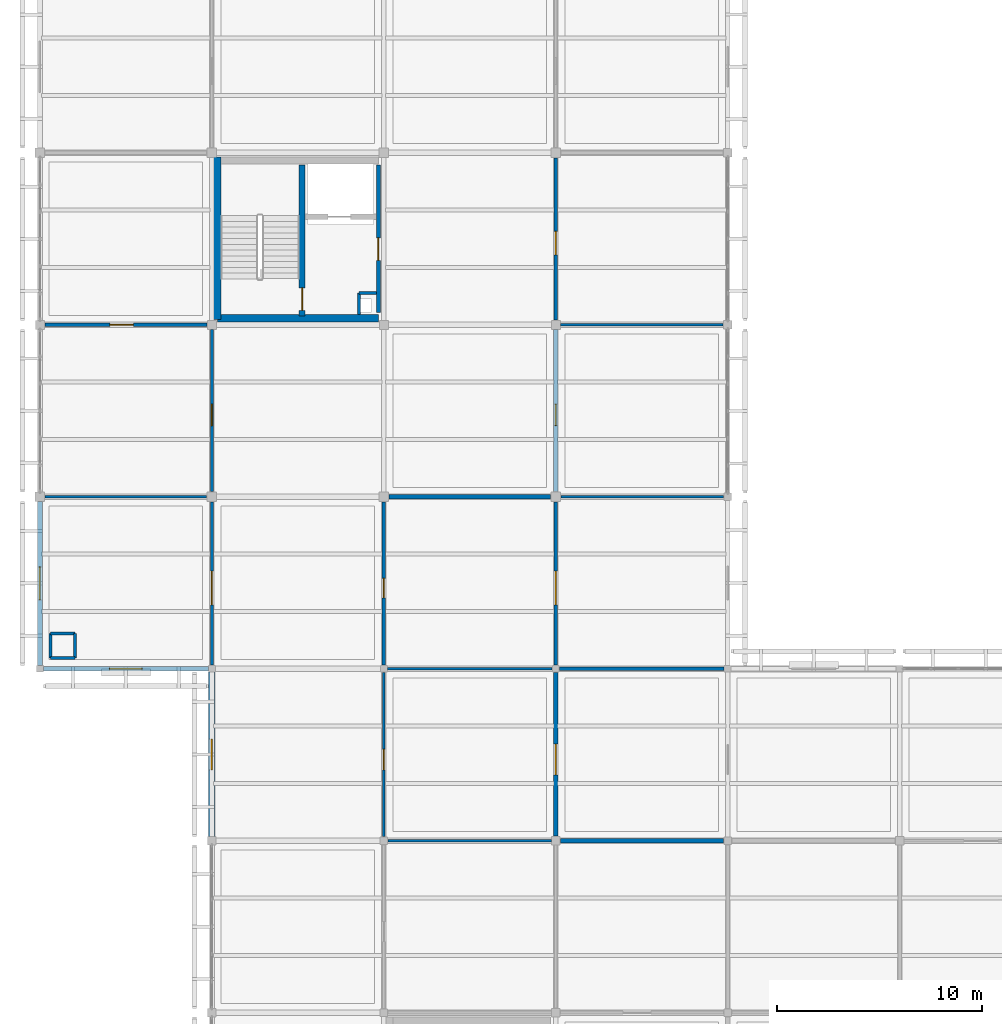
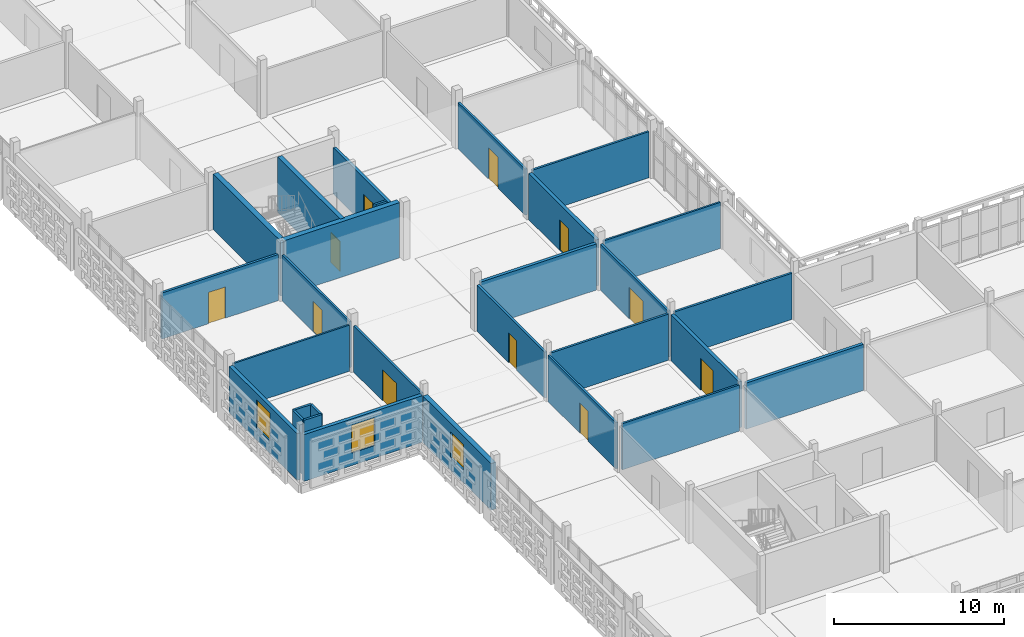
# One storey, part 84 of 140: 30 walls, 11 doors, 3 windows, 14 openings.
"""IFC4 building model written with IfcOpenShell, lengths in metres."""

from ifc_helpers import new_model, si_unit, direction, frame, frame_2d, origin, place, context, subcontext, project, spatial, rectangle, extrude, material, layer, layer_set, type_object, element, fill, save


model = new_model("IFC4")

# Units and contexts
model_context = context("Model", 3, precision=1e-05, world=origin(), true_north=direction((0.0, 1.0)))
body_context = subcontext(model_context, "Body", "Model", "MODEL_VIEW")
ifc_project = project(units=[si_unit("LENGTHUNIT", "METRE"), si_unit("AREAUNIT", "SQUARE_METRE"), si_unit("VOLUMEUNIT", "CUBIC_METRE"), si_unit("PLANEANGLEUNIT", "RADIAN"), si_unit("MASSUNIT", "GRAM", prefix="KILO")], contexts=[model_context])

# Site, building, storey
site_placement = place(None, origin())
site = spatial("IfcSite", under=ifc_project, at=site_placement, CompositionType="ELEMENT")
building_placement = place(site_placement, origin())
building = spatial("IfcBuilding", under=site, at=building_placement, Name="Varnapada Polytechnic", CompositionType="ELEMENT")
storey_placement = place(building_placement, frame((0.0, 0.0, 13.800048828125)))
storey = spatial("IfcBuildingStorey", under=building, at=storey_placement, Name="L03", CompositionType="ELEMENT", Elevation=13.800048828125)

# Wall, opening, door
ifc_material_1 = material(Name="Autoclaved Aerated Concrete Block AAC-600", Category="concrete")
ifc_layer_1 = layer(ifc_material_1, 0.199951171875)
ifc_layer_set_1 = layer_set([ifc_layer_1], Name="Autoclaved Aerated Concrete Block AAC-600")
wall_type_1 = type_object("IfcWallType", Name="Interior Wall IW-01", PredefinedType="PARTITIONING", material=ifc_layer_set_1)
wall_1_placement = place(storey_placement, frame((16.5400390625, 66.60009765625, 0.0), z_axis=(0.0, 0.0, 1.0), x_axis=(0.0, -1.0, 0.0)))
wall_1 = element("IfcWall", 1, at=wall_1_placement, inside=storey, type_object=wall_type_1, Name="L03 C2 firefighting lobby east wall", PredefinedType="PARTITIONING", context=body_context, shape_type="SweptSolid", body=[
    extrude(rectangle(XDim=7.2001953125, YDim=0.199951171875, at=frame_2d((3.60009765625, 0.0))), origin(), (0.0, 0.0, 1.0), 3.320068359375),
])
opening_1_placement = place(wall_1_placement, frame((3.550048828125, 0.0, 0.0)))
opening_1 = element("IfcOpeningElement", 2, at=opening_1_placement, cuts=wall_1, Name="Opening D-1186", PredefinedType="OPENING", context=body_context, shape_type="SweptSolid", body=[
    extrude(rectangle(XDim=1.10009765625, YDim=2.14990234375, at=frame_2d((0.550048828125, 1.074951171875))), frame((0.0, 0.10986328125, 0.0), z_axis=(0.0, -1.0, 0.0), x_axis=(1.0, 0.0, 0.0)), (0.0, 0.0, 1.0), 0.219970703125),
])
ifc_material_2 = material(Name="Galvanized Steel Z275", Category="steel")
door_type_1 = type_object("IfcDoorType", Name="Interior Door ID-01", OperationType="NOTDEFINED", PredefinedType="DOOR", material=ifc_material_2)
door_1_placement = place(opening_1_placement, frame((1.10009765625, 0.0, 0.0), z_axis=(0.0, 0.0, 1.0), x_axis=(-1.0, 0.0, 0.0)))
door_1 = element("IfcDoor", 3, at=door_1_placement, inside=storey, type_object=door_type_1, Name="L03 C2 lobby fire door D-1186", OperationType="SINGLE_SWING_RIGHT", OverallHeight=2.14990234375, OverallWidth=1.10009765625, PredefinedType="DOOR", context=body_context, shape_type="SweptSolid", body=[
    extrude(rectangle(XDim=1.10009765625, YDim=2.14990234375, at=frame_2d((0.550048828125, 1.074951171875))), frame((0.0, 0.02490234375, 0.0), z_axis=(0.0, -1.0, 0.0), x_axis=(1.0, 0.0, 0.0)), (0.0, 0.0, 1.0), 0.050048828125),
])
fill(opening_1, door_1)

# Walls
ifc_layer_2 = layer(ifc_material_1, 0.14990234375)
ifc_layer_set_2 = layer_set([ifc_layer_2], Name="Autoclaved Aerated Concrete Block AAC-600")
wall_type_2 = type_object("IfcWallType", Name="Interior Wall IW-02", PredefinedType="PARTITIONING", material=ifc_layer_set_2)
wall_2_placement = place(storey_placement, frame((15.580078125, 60.360107421875, 0.0), z_axis=(0.0, 0.0, 1.0), x_axis=(0.0, -1.0, 0.0)))
element("IfcWall", 4, at=wall_2_placement, inside=storey, type_object=wall_type_2, Name="L03 C2 riser shaft west wall", PredefinedType="PARTITIONING", context=body_context, shape_type="SweptSolid", body=[
    extrude(rectangle(XDim=1.06005859375, YDim=0.14990234375, at=frame_2d((0.530029296875, 0.0))), origin(), (0.0, 0.0, 1.0), 3.320068359375),
])
wall_3_placement = place(storey_placement, frame((15.580078125, 60.360107421875, 0.0), z_axis=(0.0, 0.0, 1.0), x_axis=(1.0, 0.0, 0.0)))
element("IfcWall", 5, at=wall_3_placement, inside=storey, type_object=wall_type_2, Name="L03 C2 riser shaft north wall", PredefinedType="PARTITIONING", context=body_context, shape_type="SweptSolid", body=[
    extrude(rectangle(XDim=0.85986328125, YDim=0.14990234375, at=frame_2d((0.429931640625, 0.0))), origin(), (0.0, 0.0, 1.0), 3.320068359375),
])
for number, where, z_axis, x_axis, name in (
    (6, (0.52001953125, 42.52001953125, 0.0), (0.0, 0.0, 1.0), (1.0, 0.0, 0.0), "L03 enclosed service riser wall (1,6) S"),
    (7, (1.719970703125, 42.52001953125, 0.0), (0.0, 0.0, 1.0), (0.0, 1.0, 0.0), "L03 enclosed service riser wall (1,6) E"),
    (8, (1.719970703125, 43.719970703125, 0.0), (0.0, 0.0, 1.0), (-1.0, 0.0, 0.0), "L03 enclosed service riser wall (1,6) N"),
    (9, (0.52001953125, 43.719970703125, 0.0), (0.0, 0.0, 1.0), (0.0, -1.0, 0.0), "L03 enclosed service riser wall (1,6) W"),
):
    element("IfcWall", number, at=place(storey_placement, frame(where, z_axis=z_axis, x_axis=x_axis)), inside=storey, type_object=wall_type_2, Name=name, PredefinedType="PARTITIONING", context=body_context, shape_type="SweptSolid", body=[
        extrude(rectangle(XDim=1.199951171875, YDim=0.14990234375, at=frame_2d((0.60009765625, 0.0))), origin(), (0.0, 0.0, 1.0), 3.929931640625),
    ])

# Wall, opening, door
wall_4_placement = place(storey_placement, frame((8.39990234375, 42.18994140625, 0.0), z_axis=(0.0, 0.0, 1.0), x_axis=(0.0, 1.0, 0.0)))
wall_4 = element("IfcWall", 10, at=wall_4_placement, inside=storey, type_object=wall_type_2, Name="L03 interior partition IW-L03-00-05-V", PredefinedType="PARTITIONING", context=body_context, shape_type="SweptSolid", body=[
    extrude(rectangle(XDim=7.9599609375, YDim=0.14990234375, at=frame_2d((3.97998046875, 0.0))), origin(), (0.0, 0.0, 1.0), 3.320068359375),
])
opening_2_placement = place(wall_4_placement, frame((2.925048828125, 0.0, 0.0)))
opening_2 = element("IfcOpeningElement", 11, at=opening_2_placement, cuts=wall_4, Name="Opening D-1196", PredefinedType="OPENING", context=body_context, shape_type="SweptSolid", body=[
    extrude(rectangle(XDim=1.64990234375, YDim=2.25, at=frame_2d((0.824951171875, 1.125))), frame((0.0, 0.0849609375, 0.0), z_axis=(0.0, -1.0, 0.0), x_axis=(1.0, 0.0, 0.0)), (0.0, 0.0, 1.0), 0.169921875),
])
ifc_material_3 = material(Name="Solid Teak Hardwood Timber", Category="wood")
door_type_2 = type_object("IfcDoorType", Name="Interior Door ID-08", OperationType="NOTDEFINED", PredefinedType="DOOR", material=ifc_material_3)
door_2_placement = place(opening_2_placement, frame((1.64990234375, 0.0, 0.0), z_axis=(0.0, 0.0, 1.0), x_axis=(-1.0, 0.0, 0.0)))
door_2 = element("IfcDoor", 12, at=door_2_placement, inside=storey, type_object=door_type_2, Name="L03 interior room door D-1196", OperationType="SINGLE_SWING_LEFT", OverallHeight=2.25, OverallWidth=1.64990234375, PredefinedType="DOOR", context=body_context, shape_type="SweptSolid", body=[
    extrude(rectangle(XDim=1.64990234375, YDim=2.25, at=frame_2d((0.824951171875, 1.125))), frame((0.0, 0.02490234375, 0.0), z_axis=(0.0, -1.0, 0.0), x_axis=(1.0, 0.0, 0.0)), (0.0, 0.0, 1.0), 0.050048828125),
])
fill(opening_2, door_2)

wall_5_placement = place(storey_placement, frame((25.199951171875, 59.0400390625, 0.0), z_axis=(0.0, 0.0, 1.0), x_axis=(0.0, 1.0, 0.0)))
wall_5 = element("IfcWall", 13, at=wall_5_placement, inside=storey, type_object=wall_type_2, Name="L03 interior partition IW-L03-02-07-V", PredefinedType="PARTITIONING", context=body_context, shape_type="SweptSolid", body=[
    extrude(rectangle(XDim=7.909912109375, YDim=0.14990234375, at=frame_2d((3.955078125, 0.0))), origin(), (0.0, 0.0, 1.0), 3.320068359375),
])
opening_3_placement = place(wall_5_placement, frame((3.175048828125, 0.0, 0.0)))
opening_3 = element("IfcOpeningElement", 14, at=opening_3_placement, cuts=wall_5, Name="Opening D-1215", PredefinedType="OPENING", context=body_context, shape_type="SweptSolid", body=[
    extrude(rectangle(XDim=1.14990234375, YDim=2.25, at=frame_2d((0.574951171875, 1.125))), frame((0.0, 0.0849609375, 0.0), z_axis=(0.0, -1.0, 0.0), x_axis=(1.0, 0.0, 0.0)), (0.0, 0.0, 1.0), 0.169921875),
])
ifc_material_4 = material(Name="Powder-Coated Aluminium 6063-T6", Category="aluminium")
door_type_3 = type_object("IfcDoorType", Name="Interior Door ID-10", OperationType="NOTDEFINED", PredefinedType="DOOR", material=ifc_material_4)
door_3_placement = place(opening_3_placement, origin())
door_3 = element("IfcDoor", 15, at=door_3_placement, inside=storey, type_object=door_type_3, Name="L03 interior room door D-1215", OperationType="SINGLE_SWING_RIGHT", OverallHeight=2.25, OverallWidth=1.14990234375, PredefinedType="DOOR", context=body_context, shape_type="SweptSolid", body=[
    extrude(rectangle(XDim=1.14990234375, YDim=2.25, at=frame_2d((0.574951171875, 1.125))), frame((0.0, 0.02490234375, 0.0), z_axis=(0.0, -1.0, 0.0), x_axis=(1.0, 0.0, 0.0)), (0.0, 0.0, 1.0), 0.050048828125),
])
fill(opening_3, door_3)

# Walls
wall_6_placement = place(storey_placement, frame((25.389892578125, 42.0, 0.0), z_axis=(0.0, 0.0, 1.0), x_axis=(1.0, 0.0, 0.0)))
element("IfcWall", 16, at=wall_6_placement, inside=storey, type_object=wall_type_2, Name="L03 interior partition IW-L03-03-04-H", PredefinedType="PARTITIONING", context=body_context, shape_type="SweptSolid", body=[
    extrude(rectangle(XDim=8.02001953125, YDim=0.14990234375, at=frame_2d((4.010009765625, 0.0))), origin(), (0.0, 0.0, 1.0), 3.320068359375),
])
ifc_material_5 = material(Name="Gypsum Plasterboard Acoustic Partition")
ifc_layer_3 = layer(ifc_material_5, 0.125)
ifc_layer_set_3 = layer_set([ifc_layer_3], Name="Gypsum Plasterboard Acoustic Partition")
wall_type_3 = type_object("IfcWallType", Name="Interior Wall IW-03", PredefinedType="PARTITIONING", material=ifc_layer_set_3)
wall_7_placement = place(storey_placement, frame((0.25, 50.39990234375, 0.0), z_axis=(0.0, 0.0, 1.0), x_axis=(1.0, 0.0, 0.0)))
element("IfcWall", 17, at=wall_7_placement, inside=storey, type_object=wall_type_3, Name="L03 interior partition IW-L03-00-05-H", PredefinedType="PARTITIONING", context=body_context, shape_type="SweptSolid", body=[
    extrude(rectangle(XDim=7.89990234375, YDim=0.125, at=frame_2d((3.949951171875, 0.0))), origin(), (0.0, 0.0, 1.0), 3.320068359375),
])
wall_8_placement = place(storey_placement, frame((25.449951171875, 50.39990234375, 0.0), z_axis=(0.0, 0.0, 1.0), x_axis=(1.0, 0.0, 0.0)))
element("IfcWall", 18, at=wall_8_placement, inside=storey, type_object=wall_type_3, Name="L03 interior partition IW-L03-03-05-H", PredefinedType="PARTITIONING", context=body_context, shape_type="SweptSolid", body=[
    extrude(rectangle(XDim=7.93994140625, YDim=0.125, at=frame_2d((3.969970703125, 0.0))), origin(), (0.0, 0.0, 1.0), 3.320068359375),
])

# Wall, opening, door
ifc_material_6 = material(Name="Moisture-Resistant Cement Board Partition")
ifc_layer_4 = layer(ifc_material_6, 0.139892578125)
ifc_layer_set_4 = layer_set([ifc_layer_4], Name="Moisture-Resistant Cement Board Partition")
wall_type_4 = type_object("IfcWallType", Name="Interior Wall IW-04", PredefinedType="PARTITIONING", material=ifc_layer_set_4)
wall_9_placement = place(storey_placement, frame((8.39990234375, 50.64990234375, 0.0), z_axis=(0.0, 0.0, 1.0), x_axis=(0.0, 1.0, 0.0)))
wall_9 = element("IfcWall", 19, at=wall_9_placement, inside=storey, type_object=wall_type_4, Name="L03 interior partition IW-L03-00-06-V", PredefinedType="PARTITIONING", context=body_context, shape_type="SweptSolid", body=[
    extrude(rectangle(XDim=7.91015625, YDim=0.139892578125, at=frame_2d((3.955078125, 0.0))), origin(), (0.0, 0.0, 1.0), 3.320068359375),
])
opening_4_placement = place(wall_9_placement, frame((3.22509765625, 0.0, 0.0)))
opening_4 = element("IfcOpeningElement", 20, at=opening_4_placement, cuts=wall_9, Name="Opening D-1197", PredefinedType="OPENING", context=body_context, shape_type="SweptSolid", body=[
    extrude(rectangle(XDim=1.050048828125, YDim=2.199951171875, at=frame_2d((0.52490234375, 1.10009765625))), frame((0.0, 0.079833984375, 0.0), z_axis=(0.0, -1.0, 0.0), x_axis=(1.0, 0.0, 0.0)), (0.0, 0.0, 1.0), 0.159912109375),
])
door_type_4 = type_object("IfcDoorType", Name="Interior Door ID-09", OperationType="NOTDEFINED", PredefinedType="DOOR", material=ifc_material_3)
door_4_placement = place(opening_4_placement, origin())
door_4 = element("IfcDoor", 21, at=door_4_placement, inside=storey, type_object=door_type_4, Name="L03 interior room door D-1197", OperationType="SINGLE_SWING_RIGHT", OverallHeight=2.199951171875, OverallWidth=1.050048828125, PredefinedType="DOOR", context=body_context, shape_type="SweptSolid", body=[
    extrude(rectangle(XDim=1.050048828125, YDim=2.199951171875, at=frame_2d((0.52490234375, 1.10009765625))), frame((0.0, 0.02490234375, 0.0), z_axis=(0.0, -1.0, 0.0), x_axis=(1.0, 0.0, 0.0)), (0.0, 0.0, 1.0), 0.050048828125),
])
fill(opening_4, door_4)

wall_10_placement = place(storey_placement, frame((16.800048828125, 33.81005859375, 0.0), z_axis=(0.0, 0.0, 1.0), x_axis=(0.0, 1.0, 0.0)))
wall_10 = element("IfcWall", 22, at=wall_10_placement, inside=storey, type_object=wall_type_4, Name="L03 interior partition IW-L03-01-04-V", PredefinedType="PARTITIONING", context=body_context, shape_type="SweptSolid", body=[
    extrude(rectangle(XDim=8.0, YDim=0.139892578125, at=frame_2d((4.0, 0.0))), origin(), (0.0, 0.0, 1.0), 3.320068359375),
])
opening_5_placement = place(wall_10_placement, frame((3.25, 0.0, 0.0)))
opening_5 = element("IfcOpeningElement", 23, at=opening_5_placement, cuts=wall_10, Name="Opening D-1207", PredefinedType="OPENING", context=body_context, shape_type="SweptSolid", body=[
    extrude(rectangle(XDim=1.0, YDim=2.14990234375, at=frame_2d((0.5, 1.074951171875))), frame((0.0, 0.079833984375, 0.0), z_axis=(0.0, -1.0, 0.0), x_axis=(1.0, 0.0, 0.0)), (0.0, 0.0, 1.0), 0.159912109375),
])
door_type_5 = type_object("IfcDoorType", Name="Interior Door ID-02", OperationType="NOTDEFINED", PredefinedType="DOOR", material=ifc_material_3)
door_5_placement = place(opening_5_placement, origin())
door_5 = element("IfcDoor", 24, at=door_5_placement, inside=storey, type_object=door_type_5, Name="L03 interior room door D-1207", OperationType="SINGLE_SWING_RIGHT", OverallHeight=2.14990234375, OverallWidth=1.0, PredefinedType="DOOR", context=body_context, shape_type="SweptSolid", body=[
    extrude(rectangle(XDim=1.0, YDim=2.14990234375, at=frame_2d((0.5, 1.074951171875))), frame((0.0, 0.02490234375, 0.0), z_axis=(0.0, -1.0, 0.0), x_axis=(1.0, 0.0, 0.0)), (0.0, 0.0, 1.0), 0.050048828125),
])
fill(opening_5, door_5)

# Walls
wall_11_placement = place(storey_placement, frame((17.010009765625, 33.60009765625, 0.0), z_axis=(0.0, 0.0, 1.0), x_axis=(1.0, 0.0, 0.0)))
element("IfcWall", 25, at=wall_11_placement, inside=storey, type_object=wall_type_4, Name="L03 interior partition IW-L03-02-03-H", PredefinedType="PARTITIONING", context=body_context, shape_type="SweptSolid", body=[
    extrude(rectangle(XDim=7.969970703125, YDim=0.139892578125, at=frame_2d((3.98486328125, 0.0))), origin(), (0.0, 0.0, 1.0), 3.320068359375),
])
wall_12_placement = place(storey_placement, frame((25.43994140625, 58.800048828125, 0.0), z_axis=(0.0, 0.0, 1.0), x_axis=(1.0, 0.0, 0.0)))
element("IfcWall", 26, at=wall_12_placement, inside=storey, type_object=wall_type_4, Name="L03 interior partition IW-L03-03-06-H", PredefinedType="PARTITIONING", context=body_context, shape_type="SweptSolid", body=[
    extrude(rectangle(XDim=7.93017578125, YDim=0.139892578125, at=frame_2d((3.965087890625, 0.0))), origin(), (0.0, 0.0, 1.0), 3.320068359375),
])

# Wall, opening, door
ifc_material_7 = material(Name="Cross-laminated timber CLT C24", Category="wood")
ifc_layer_5 = layer(ifc_material_7, 0.159912109375)
ifc_layer_set_5 = layer_set([ifc_layer_5], Name="Cross-laminated timber CLT C24")
wall_type_5 = type_object("IfcWallType", Name="Interior Wall IW-05", PredefinedType="PARTITIONING", material=ifc_layer_set_5)
wall_13_placement = place(storey_placement, frame((0.239990234375, 58.800048828125, 0.0), z_axis=(0.0, 0.0, 1.0), x_axis=(1.0, 0.0, 0.0)))
wall_13 = element("IfcWall", 27, at=wall_13_placement, inside=storey, type_object=wall_type_5, Name="L03 interior partition IW-L03-00-06-H", PredefinedType="PARTITIONING", context=body_context, shape_type="SweptSolid", body=[
    extrude(rectangle(XDim=7.919921875, YDim=0.159912109375, at=frame_2d((3.9599609375, 0.0))), origin(), (0.0, 0.0, 1.0), 3.320068359375),
])
opening_6_placement = place(wall_13_placement, frame((3.175048828125, 0.0, 0.0)))
opening_6 = element("IfcOpeningElement", 28, at=opening_6_placement, cuts=wall_13, Name="Opening D-1198", PredefinedType="OPENING", context=body_context, shape_type="SweptSolid", body=[
    extrude(rectangle(XDim=1.14990234375, YDim=2.25, at=frame_2d((0.574951171875, 1.125))), frame((0.0, 0.08984375, 0.0), z_axis=(0.0, -1.0, 0.0), x_axis=(1.0, 0.0, 0.0)), (0.0, 0.0, 1.0), 0.179931640625),
])
door_6_placement = place(opening_6_placement, origin())
door_6 = element("IfcDoor", 29, at=door_6_placement, inside=storey, type_object=door_type_3, Name="L03 interior room door D-1198", OperationType="SINGLE_SWING_LEFT", OverallHeight=2.25, OverallWidth=1.14990234375, PredefinedType="DOOR", context=body_context, shape_type="SweptSolid", body=[
    extrude(rectangle(XDim=1.14990234375, YDim=2.25, at=frame_2d((0.574951171875, 1.125))), frame((0.0, 0.02490234375, 0.0), z_axis=(0.0, -1.0, 0.0), x_axis=(1.0, 0.0, 0.0)), (0.0, 0.0, 1.0), 0.050048828125),
])
fill(opening_6, door_6)

wall_14_placement = place(storey_placement, frame((16.800048828125, 42.18994140625, 0.0), z_axis=(0.0, 0.0, 1.0), x_axis=(0.0, 1.0, 0.0)))
wall_14 = element("IfcWall", 30, at=wall_14_placement, inside=storey, type_object=wall_type_5, Name="L03 interior partition IW-L03-01-05-V", PredefinedType="PARTITIONING", context=body_context, shape_type="SweptSolid", body=[
    extrude(rectangle(XDim=7.9599609375, YDim=0.159912109375, at=frame_2d((3.97998046875, 0.0))), origin(), (0.0, 0.0, 1.0), 3.320068359375),
])
opening_7_placement = place(wall_14_placement, frame((3.27490234375, 0.0, 0.0)))
opening_7 = element("IfcOpeningElement", 31, at=opening_7_placement, cuts=wall_14, Name="Opening D-1208", PredefinedType="OPENING", context=body_context, shape_type="SweptSolid", body=[
    extrude(rectangle(XDim=0.949951171875, YDim=2.14990234375, at=frame_2d((0.47509765625, 1.074951171875))), frame((0.0, 0.08984375, 0.0), z_axis=(0.0, -1.0, 0.0), x_axis=(1.0, 0.0, 0.0)), (0.0, 0.0, 1.0), 0.179931640625),
])
ifc_material_8 = material(Name="Moisture-Resistant HPL Timber", Category="wood")
door_type_6 = type_object("IfcDoorType", Name="Interior Door ID-03", OperationType="NOTDEFINED", PredefinedType="DOOR", material=ifc_material_8)
door_7_placement = place(opening_7_placement, frame((0.949951171875, 0.0, 0.0), z_axis=(0.0, 0.0, 1.0), x_axis=(-1.0, 0.0, 0.0)))
door_7 = element("IfcDoor", 32, at=door_7_placement, inside=storey, type_object=door_type_6, Name="L03 interior room door D-1208", OperationType="SINGLE_SWING_LEFT", OverallHeight=2.14990234375, OverallWidth=0.949951171875, PredefinedType="DOOR", context=body_context, shape_type="SweptSolid", body=[
    extrude(rectangle(XDim=0.949951171875, YDim=2.14990234375, at=frame_2d((0.47509765625, 1.074951171875))), frame((0.0, 0.02490234375, 0.0), z_axis=(0.0, -1.0, 0.0), x_axis=(1.0, 0.0, 0.0)), (0.0, 0.0, 1.0), 0.050048828125),
])
fill(opening_7, door_7)

ifc_material_9 = material(Name="Heavy Acoustic Auditorium Baffle Wall")
ifc_layer_6 = layer(ifc_material_9, 0.219970703125)
ifc_layer_set_6 = layer_set([ifc_layer_6], Name="Heavy Acoustic Auditorium Baffle Wall")
wall_type_6 = type_object("IfcWallType", Name="Interior Wall IW-13", PredefinedType="PARTITIONING", material=ifc_layer_set_6)
wall_15_placement = place(storey_placement, frame((25.199951171875, 33.820068359375, 0.0), z_axis=(0.0, 0.0, 1.0), x_axis=(0.0, 1.0, 0.0)))
wall_15 = element("IfcWall", 33, at=wall_15_placement, inside=storey, type_object=wall_type_6, Name="L03 interior partition IW-L03-02-04-V", PredefinedType="PARTITIONING", context=body_context, shape_type="SweptSolid", body=[
    extrude(rectangle(XDim=7.989990234375, YDim=0.219970703125, at=frame_2d((3.9951171875, 0.0))), origin(), (0.0, 0.0, 1.0), 3.320068359375),
])
opening_8_placement = place(wall_15_placement, frame((3.0, 0.0, 0.0)))
opening_8 = element("IfcOpeningElement", 34, at=opening_8_placement, cuts=wall_15, Name="Opening D-1212", PredefinedType="OPENING", context=body_context, shape_type="SweptSolid", body=[
    extrude(rectangle(XDim=1.5, YDim=2.300048828125, at=frame_2d((0.75, 1.14990234375))), frame((0.0, 0.119873046875, 0.0), z_axis=(0.0, -1.0, 0.0), x_axis=(1.0, 0.0, 0.0)), (0.0, 0.0, 1.0), 0.239990234375),
])
door_type_7 = type_object("IfcDoorType", Name="Interior Door ID-07", OperationType="NOTDEFINED", PredefinedType="DOOR", material=ifc_material_2)
door_8_placement = place(opening_8_placement, origin())
door_8 = element("IfcDoor", 35, at=door_8_placement, inside=storey, type_object=door_type_7, Name="L03 interior room door D-1212", OperationType="SINGLE_SWING_LEFT", OverallHeight=2.300048828125, OverallWidth=1.5, PredefinedType="DOOR", context=body_context, shape_type="SweptSolid", body=[
    extrude(rectangle(XDim=1.5, YDim=2.300048828125, at=frame_2d((0.75, 1.14990234375))), frame((0.0, 0.02490234375, 0.0), z_axis=(0.0, -1.0, 0.0), x_axis=(1.0, 0.0, 0.0)), (0.0, 0.0, 1.0), 0.050048828125),
])
fill(opening_8, door_8)

# Wall
ifc_material_10 = material(Name="Ceramic-Tiled Wet Laboratory Wall")
ifc_layer_7 = layer(ifc_material_10, 0.14501953125)
ifc_layer_set_7 = layer_set([ifc_layer_7], Name="Ceramic-Tiled Wet Laboratory Wall")
wall_type_7 = type_object("IfcWallType", Name="Interior Wall IW-14", PredefinedType="PARTITIONING", material=ifc_layer_set_7)
wall_16_placement = place(storey_placement, frame((16.989990234375, 42.0, 0.0), z_axis=(0.0, 0.0, 1.0), x_axis=(1.0, 0.0, 0.0)))
element("IfcWall", 36, at=wall_16_placement, inside=storey, type_object=wall_type_7, Name="L03 interior partition IW-L03-02-04-H", PredefinedType="PARTITIONING", context=body_context, shape_type="SweptSolid", body=[
    extrude(rectangle(XDim=8.02001953125, YDim=0.14501953125, at=frame_2d((4.010009765625, 0.0))), origin(), (0.0, 0.0, 1.0), 3.320068359375),
])

# Wall, opening, door
ifc_material_11 = material(Name="Perforated Timber-Lined Seminar Wall", Category="wood")
ifc_layer_8 = layer(ifc_material_11, 0.155029296875)
ifc_layer_set_8 = layer_set([ifc_layer_8], Name="Perforated Timber-Lined Seminar Wall")
wall_type_8 = type_object("IfcWallType", Name="Interior Wall IW-15", PredefinedType="PARTITIONING", material=ifc_layer_set_8)
wall_17_placement = place(storey_placement, frame((25.199951171875, 42.18994140625, 0.0), z_axis=(0.0, 0.0, 1.0), x_axis=(0.0, 1.0, 0.0)))
wall_17 = element("IfcWall", 37, at=wall_17_placement, inside=storey, type_object=wall_type_8, Name="L03 interior partition IW-L03-02-05-V", PredefinedType="PARTITIONING", context=body_context, shape_type="SweptSolid", body=[
    extrude(rectangle(XDim=7.9599609375, YDim=0.155029296875, at=frame_2d((3.97998046875, 0.0))), origin(), (0.0, 0.0, 1.0), 3.320068359375),
])
opening_9_placement = place(wall_17_placement, frame((2.925048828125, 0.0, 0.0)))
opening_9 = element("IfcOpeningElement", 38, at=opening_9_placement, cuts=wall_17, Name="Opening D-1213", PredefinedType="OPENING", context=body_context, shape_type="SweptSolid", body=[
    extrude(rectangle(XDim=1.64990234375, YDim=2.25, at=frame_2d((0.824951171875, 1.125))), frame((0.0, 0.08740234375, 0.0), z_axis=(0.0, -1.0, 0.0), x_axis=(1.0, 0.0, 0.0)), (0.0, 0.0, 1.0), 0.175048828125),
])
door_9_placement = place(opening_9_placement, origin())
door_9 = element("IfcDoor", 39, at=door_9_placement, inside=storey, type_object=door_type_2, Name="L03 interior room door D-1213", OperationType="SINGLE_SWING_RIGHT", OverallHeight=2.25, OverallWidth=1.64990234375, PredefinedType="DOOR", context=body_context, shape_type="SweptSolid", body=[
    extrude(rectangle(XDim=1.64990234375, YDim=2.25, at=frame_2d((0.824951171875, 1.125))), frame((0.0, 0.02490234375, 0.0), z_axis=(0.0, -1.0, 0.0), x_axis=(1.0, 0.0, 0.0)), (0.0, 0.0, 1.0), 0.050048828125),
])
fill(opening_9, door_9)

# Walls
ifc_material_12 = material(Name="Heavy Masonry Workshop Partition", Category="masonry")
ifc_layer_9 = layer(ifc_material_12, 0.2099609375)
ifc_layer_set_9 = layer_set([ifc_layer_9], Name="Heavy Masonry Workshop Partition")
wall_type_9 = type_object("IfcWallType", Name="Interior Wall IW-16", PredefinedType="PARTITIONING", material=ifc_layer_set_9)
wall_18_placement = place(storey_placement, frame((17.050048828125, 50.39990234375, 0.0), z_axis=(0.0, 0.0, 1.0), x_axis=(1.0, 0.0, 0.0)))
element("IfcWall", 40, at=wall_18_placement, inside=storey, type_object=wall_type_9, Name="L03 interior partition IW-L03-02-05-H", PredefinedType="PARTITIONING", context=body_context, shape_type="SweptSolid", body=[
    extrude(rectangle(XDim=7.89990234375, YDim=0.2099609375, at=frame_2d((3.949951171875, 0.0))), origin(), (0.0, 0.0, 1.0), 3.320068359375),
])
wall_19_placement = place(storey_placement, frame((25.419921875, 33.60009765625, 0.0), z_axis=(0.0, 0.0, 1.0), x_axis=(1.0, 0.0, 0.0)))
element("IfcWall", 41, at=wall_19_placement, inside=storey, type_object=wall_type_9, Name="L03 interior partition IW-L03-03-03-H", PredefinedType="PARTITIONING", context=body_context, shape_type="SweptSolid", body=[
    extrude(rectangle(XDim=7.969970703125, YDim=0.2099609375, at=frame_2d((3.98486328125, 0.0))), origin(), (0.0, 0.0, 1.0), 3.320068359375),
])

# Wall, opening, door
ifc_material_13 = material(Name="Double-Leaf Acoustic Lecture Wall")
ifc_layer_10 = layer(ifc_material_13, 0.235107421875)
ifc_layer_set_10 = layer_set([ifc_layer_10], Name="Double-Leaf Acoustic Lecture Wall")
wall_type_10 = type_object("IfcWallType", Name="Interior Wall IW-17", PredefinedType="PARTITIONING", material=ifc_layer_set_10)
wall_20_placement = place(storey_placement, frame((25.199951171875, 50.64990234375, 0.0), z_axis=(0.0, 0.0, 1.0), x_axis=(0.0, 1.0, 0.0)))
wall_20 = element("IfcWall", 42, at=wall_20_placement, inside=storey, type_object=wall_type_10, Name="L03 interior partition IW-L03-02-06-V", PredefinedType="PARTITIONING", context=body_context, shape_type="SweptSolid", body=[
    extrude(rectangle(XDim=7.91015625, YDim=0.235107421875, at=frame_2d((3.955078125, 0.0))), origin(), (0.0, 0.0, 1.0), 3.320068359375),
])
opening_10_placement = place(wall_20_placement, frame((3.22509765625, 0.0, 0.0)))
opening_10 = element("IfcOpeningElement", 43, at=opening_10_placement, cuts=wall_20, Name="Opening D-1214", PredefinedType="OPENING", context=body_context, shape_type="SweptSolid", body=[
    extrude(rectangle(XDim=1.050048828125, YDim=2.199951171875, at=frame_2d((0.52490234375, 1.10009765625))), frame((0.0, 0.12744140625, 0.0), z_axis=(0.0, -1.0, 0.0), x_axis=(1.0, 0.0, 0.0)), (0.0, 0.0, 1.0), 0.255126953125),
])
door_10_placement = place(opening_10_placement, frame((1.050048828125, 0.0, 0.0), z_axis=(0.0, 0.0, 1.0), x_axis=(-1.0, 0.0, 0.0)))
door_10 = element("IfcDoor", 44, at=door_10_placement, inside=storey, type_object=door_type_4, Name="L03 interior room door D-1214", OperationType="SINGLE_SWING_LEFT", OverallHeight=2.199951171875, OverallWidth=1.050048828125, PredefinedType="DOOR", context=body_context, shape_type="SweptSolid", body=[
    extrude(rectangle(XDim=1.050048828125, YDim=2.199951171875, at=frame_2d((0.52490234375, 1.10009765625))), frame((0.0, 0.02490234375, 0.0), z_axis=(0.0, -1.0, 0.0), x_axis=(1.0, 0.0, 0.0)), (0.0, 0.0, 1.0), 0.050048828125),
])
fill(opening_10, door_10)

# Walls
ifc_material_14 = material(Name="Concrete C40/50", Category="concrete")
ifc_layer_11 = layer(ifc_material_14, 0.35009765625)
ifc_layer_set_11 = layer_set([ifc_layer_11], Name="Concrete C40/50")
wall_type_11 = type_object("IfcWallType", Name="Interior Wall SW-01", PredefinedType="SHEAR", material=ifc_layer_set_11)
wall_21_placement = place(storey_placement, frame((8.6650390625, 59.050048828125, 0.0), z_axis=(0.0, 0.0, 1.0), x_axis=(0.0, 1.0, 0.0)))
element("IfcWall", 45, at=wall_21_placement, inside=storey, type_object=wall_type_11, Name="L03 C2 stair west shear wall", PredefinedType="SHEAR", context=body_context, shape_type="SweptSolid", body=[
    extrude(rectangle(XDim=7.93994140625, YDim=0.35009765625, at=frame_2d((3.969970703125, 0.0))), origin(), (0.0, 0.0, 1.0), 3.97998046875),
])
wall_22_placement = place(storey_placement, frame((16.5400390625, 59.1201171875, 0.0), z_axis=(0.0, 0.0, 1.0), x_axis=(-1.0, 0.0, 0.0)))
element("IfcWall", 46, at=wall_22_placement, inside=storey, type_object=wall_type_11, Name="L03 C2 core south shear wall", PredefinedType="SHEAR", context=body_context, shape_type="SweptSolid", body=[
    extrude(rectangle(XDim=7.875, YDim=0.35009765625, at=frame_2d((3.9375, 0.0))), origin(), (0.0, 0.0, 1.0), 3.97998046875),
])

# Wall, opening, door
ifc_layer_12 = layer(ifc_material_14, 0.300048828125)
ifc_layer_set_12 = layer_set([ifc_layer_12], Name="Concrete C40/50")
wall_type_12 = type_object("IfcWallType", Name="Interior Wall SW-02", PredefinedType="SHEAR", material=ifc_layer_set_12)
wall_23_placement = place(storey_placement, frame((12.81005859375, 59.219970703125, 0.0), z_axis=(0.0, 0.0, 1.0), x_axis=(0.0, 1.0, 0.0)))
wall_23 = element("IfcWall", 47, at=wall_23_placement, inside=storey, type_object=wall_type_12, Name="L03 C2 stair-lobby dividing shear wall", PredefinedType="SHEAR", context=body_context, shape_type="SweptSolid", body=[
    extrude(rectangle(XDim=7.380126953125, YDim=0.300048828125, at=frame_2d((3.68994140625, 0.0))), origin(), (0.0, 0.0, 1.0), 3.97998046875),
])
opening_11_placement = place(wall_23_placement, frame((0.280029296875, 0.0, 0.0)))
opening_11 = element("IfcOpeningElement", 48, at=opening_11_placement, cuts=wall_23, Name="Opening D-1187", PredefinedType="OPENING", context=body_context, shape_type="SweptSolid", body=[
    extrude(rectangle(XDim=1.10009765625, YDim=2.14990234375, at=frame_2d((0.550048828125, 1.074951171875))), frame((0.0, 0.159912109375, 0.0), z_axis=(0.0, -1.0, 0.0), x_axis=(1.0, 0.0, 0.0)), (0.0, 0.0, 1.0), 0.320068359375),
])
door_11_placement = place(opening_11_placement, origin())
door_11 = element("IfcDoor", 49, at=door_11_placement, inside=storey, type_object=door_type_1, Name="L03 C2 exit stair door D-1187", OperationType="SINGLE_SWING_RIGHT", OverallHeight=2.14990234375, OverallWidth=1.10009765625, PredefinedType="DOOR", context=body_context, shape_type="SweptSolid", body=[
    extrude(rectangle(XDim=1.10009765625, YDim=2.14990234375, at=frame_2d((0.550048828125, 1.074951171875))), frame((0.0, 0.02490234375, 0.0), z_axis=(0.0, -1.0, 0.0), x_axis=(1.0, 0.0, 0.0)), (0.0, 0.0, 1.0), 0.050048828125),
])
fill(opening_11, door_11)

# Wall, opening, window
ifc_material_15 = material(Name="Precast concrete C40/50", Category="concrete")
ifc_layer_13 = layer(ifc_material_15, 0.320068359375)
ifc_layer_set_13 = layer_set([ifc_layer_13], Name="Precast concrete C40/50")
wall_type_13 = type_object("IfcWallType", Name="Wall EW-04", PredefinedType="SOLIDWALL", material=ifc_layer_set_13)
wall_24_placement = place(storey_placement, frame((8.39990234375, 33.800048828125, 0.0), z_axis=(0.0, 0.0, 1.0), x_axis=(0.0, 1.0, 0.0)))
wall_24 = element("IfcWall", 50, at=wall_24_placement, inside=storey, type_object=wall_type_13, Name="L03 exterior wall EW-04 (17)", PredefinedType="SOLIDWALL", context=body_context, shape_type="SweptSolid", body=[
    extrude(rectangle(XDim=8.030029296875, YDim=0.320068359375, at=frame_2d((4.01513671875, 0.0))), origin(), (0.0, 0.0, 1.0), 3.35986328125),
])
opening_12_placement = place(wall_24_placement, frame((3.264892578125, 0.0, 0.89990234375)))
opening_12 = element("IfcOpeningElement", 51, at=opening_12_placement, cuts=wall_24, Name="Opening WN-10", PredefinedType="OPENING", context=body_context, shape_type="SweptSolid", body=[
    extrude(rectangle(XDim=1.5, YDim=1.85009765625, at=frame_2d((0.75, 0.925048828125))), frame((0.0, 0.169921875, 0.0), z_axis=(0.0, -1.0, 0.0), x_axis=(1.0, 0.0, 0.0)), (0.0, 0.0, 1.0), 0.340087890625),
])
ifc_material_16 = material(Name="Double low-E laminated glass", Category="glass")
window_type_1 = type_object("IfcWindowType", Name="Window WN-10", PartitioningType="SINGLE_PANEL", PredefinedType="WINDOW", material=ifc_material_16)
window_1_placement = place(opening_12_placement, origin())
window_1 = element("IfcWindow", 52, at=window_1_placement, inside=storey, type_object=window_type_1, Name="L03 window WN-10 (140)", OverallHeight=1.85009765625, OverallWidth=1.5, PartitioningType="SINGLE_PANEL", PredefinedType="WINDOW", context=body_context, shape_type="SweptSolid", body=[
    extrude(rectangle(XDim=1.5, YDim=1.85009765625, at=frame_2d((0.75, 0.925048828125))), frame((0.0, 0.030029296875, 0.0), z_axis=(0.0, -1.0, 0.0), x_axis=(1.0, 0.0, 0.0)), (0.0, 0.0, 1.0), 0.06005859375),
])
fill(opening_12, window_1)

ifc_layer_14 = layer(ifc_material_15, 0.239990234375)
ifc_layer_set_14 = layer_set([ifc_layer_14], Name="Precast concrete C40/50")
wall_type_14 = type_object("IfcWallType", Name="Wall EW-06", PredefinedType="SOLIDWALL", material=ifc_layer_set_14)
wall_25_placement = place(storey_placement, frame((8.22998046875, 42.0, 0.0), z_axis=(0.0, 0.0, 1.0), x_axis=(-1.0, 0.0, 0.0)))
wall_25 = element("IfcWall", 53, at=wall_25_placement, inside=storey, type_object=wall_type_14, Name="L03 exterior wall EW-06 (1)", PredefinedType="SOLIDWALL", context=body_context, shape_type="SweptSolid", body=[
    extrude(rectangle(XDim=8.06005859375, YDim=0.239990234375, at=frame_2d((4.030029296875, 0.0))), origin(), (0.0, 0.0, 1.0), 3.35986328125),
])
opening_13_placement = place(wall_25_placement, frame((3.22998046875, 0.0, 0.89990234375)))
opening_13 = element("IfcOpeningElement", 54, at=opening_13_placement, cuts=wall_25, Name="Opening WN-08", PredefinedType="OPENING", context=body_context, shape_type="SweptSolid", body=[
    extrude(rectangle(XDim=1.60009765625, YDim=2.0, at=frame_2d((0.800048828125, 1.0))), frame((0.0, 0.1298828125, 0.0), z_axis=(0.0, -1.0, 0.0), x_axis=(1.0, 0.0, 0.0)), (0.0, 0.0, 1.0), 0.260009765625),
])
window_type_2 = type_object("IfcWindowType", Name="Window WN-08", PartitioningType="SINGLE_PANEL", PredefinedType="WINDOW", material=ifc_material_16)
window_2_placement = place(opening_13_placement, origin())
window_2 = element("IfcWindow", 55, at=window_2_placement, inside=storey, type_object=window_type_2, Name="L03 window WN-08 (132)", OverallHeight=2.0, OverallWidth=1.60009765625, PartitioningType="SINGLE_PANEL", PredefinedType="WINDOW", context=body_context, shape_type="SweptSolid", body=[
    extrude(rectangle(XDim=1.60009765625, YDim=2.0, at=frame_2d((0.800048828125, 1.0))), frame((0.0, 0.030029296875, 0.0), z_axis=(0.0, -1.0, 0.0), x_axis=(1.0, 0.0, 0.0)), (0.0, 0.0, 1.0), 0.06005859375),
])
fill(opening_13, window_2)

wall_26_placement = place(storey_placement, frame((0.0, 42.169921875, 0.0), z_axis=(0.0, 0.0, 1.0), x_axis=(0.0, 1.0, 0.0)))
wall_26 = element("IfcWall", 56, at=wall_26_placement, inside=storey, type_object=wall_type_14, Name="L03 exterior wall EW-06 (2)", PredefinedType="SOLIDWALL", context=body_context, shape_type="SweptSolid", body=[
    extrude(rectangle(XDim=8.0, YDim=0.239990234375, at=frame_2d((4.0, 0.0))), origin(), (0.0, 0.0, 1.0), 3.35986328125),
])
opening_14_placement = place(wall_26_placement, frame((3.199951171875, 0.0, 0.89990234375)))
opening_14 = element("IfcOpeningElement", 57, at=opening_14_placement, cuts=wall_26, Name="Opening WN-08", PredefinedType="OPENING", context=body_context, shape_type="SweptSolid", body=[
    extrude(rectangle(XDim=1.60009765625, YDim=2.0, at=frame_2d((0.800048828125, 1.0))), frame((0.0, 0.1298828125, 0.0), z_axis=(0.0, -1.0, 0.0), x_axis=(1.0, 0.0, 0.0)), (0.0, 0.0, 1.0), 0.260009765625),
])
window_3_placement = place(opening_14_placement, origin())
window_3 = element("IfcWindow", 58, at=window_3_placement, inside=storey, type_object=window_type_2, Name="L03 window WN-08 (133)", OverallHeight=2.0, OverallWidth=1.60009765625, PartitioningType="SINGLE_PANEL", PredefinedType="WINDOW", context=body_context, shape_type="SweptSolid", body=[
    extrude(rectangle(XDim=1.60009765625, YDim=2.0, at=frame_2d((0.800048828125, 1.0))), frame((0.0, 0.030029296875, 0.0), z_axis=(0.0, -1.0, 0.0), x_axis=(1.0, 0.0, 0.0)), (0.0, 0.0, 1.0), 0.06005859375),
])
fill(opening_14, window_3)

save(model, "model.ifc")
